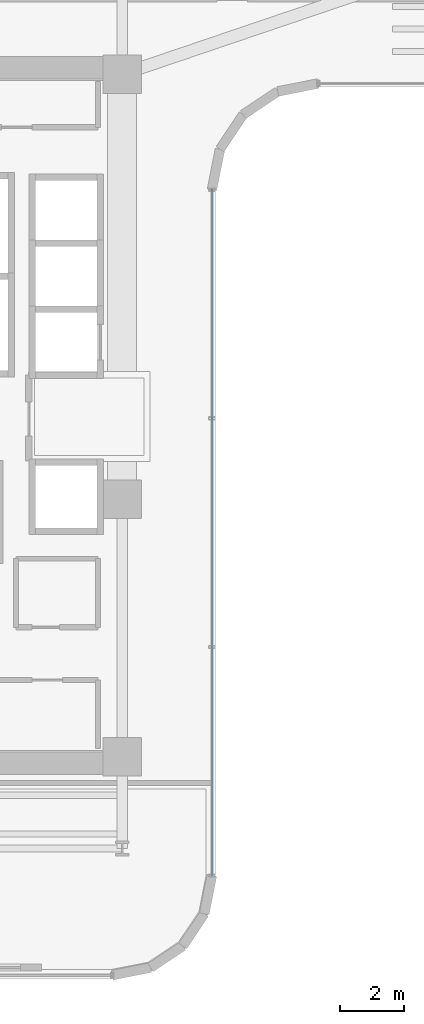
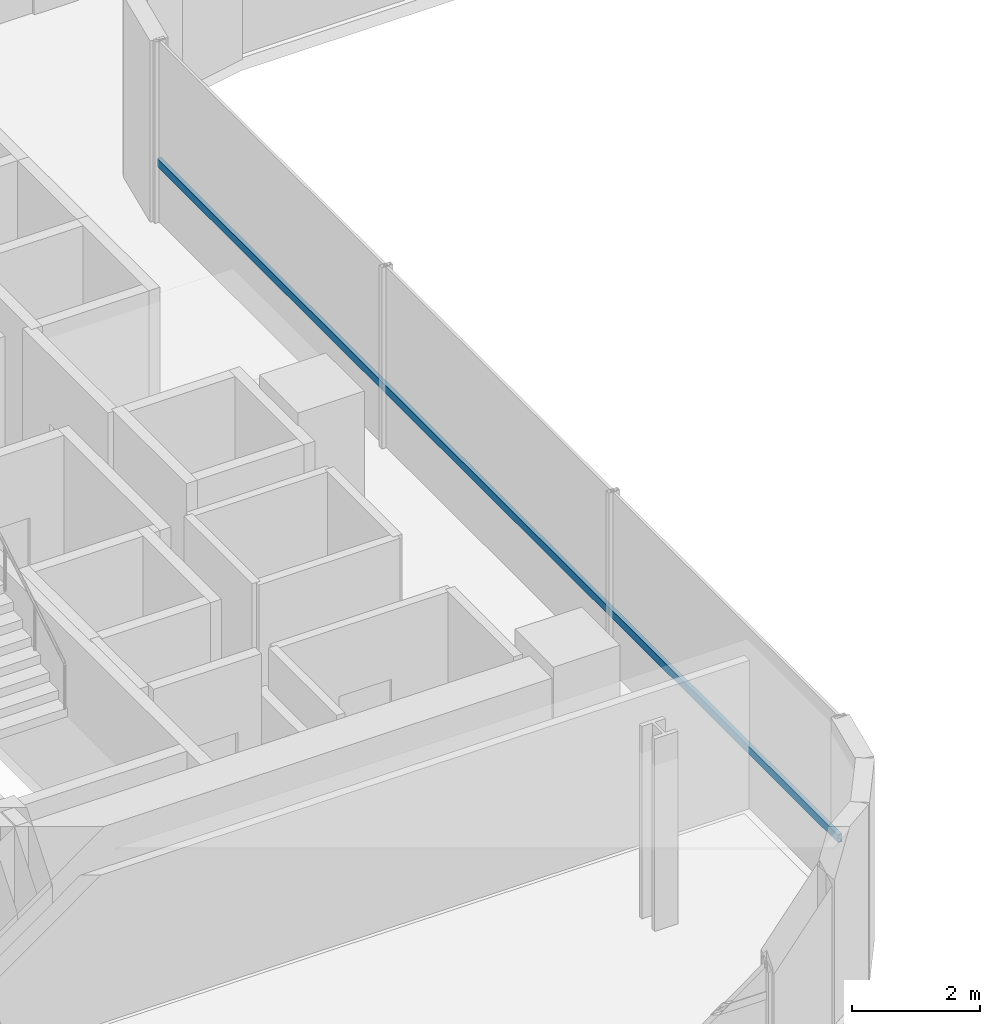
# One storey, part 6 of 35: 1 member, 1 element without a shape of its own.
"""IFC4 building model written with IfcOpenShell, lengths in metres."""

from ifc_helpers import new_model, si_unit, direction, frame, origin, origin_2d, place, context, subcontext, project, spatial, hollow_rectangle, extrude, source, transform, mapped, material, material_profile, profile_set, type_object, element, aggregate, save


model = new_model("IFC4")

# Units and contexts
model_context = context("Model", 3, precision=1e-05, world=origin(), true_north=direction((0.0, 1.0)))
body_context = subcontext(model_context, "Body", "Model", "MODEL_VIEW")
ifc_project = project(units=[si_unit("LENGTHUNIT", "METRE"), si_unit("AREAUNIT", "SQUARE_METRE"), si_unit("VOLUMEUNIT", "CUBIC_METRE"), si_unit("PLANEANGLEUNIT", "RADIAN"), si_unit("MASSUNIT", "GRAM", prefix="KILO")], contexts=[model_context])

# Site, building, storey
site_placement = place(None, origin())
site = spatial("IfcSite", under=ifc_project, at=site_placement, CompositionType="ELEMENT")
building_placement = place(site_placement, origin())
building = spatial("IfcBuilding", under=site, at=building_placement, Name="Valdorenza Pilgrim Sanctuary Tower", CompositionType="ELEMENT")
storey_placement = place(building_placement, frame((0.0, 0.0, 113.10009765625)))
storey = spatial("IfcBuildingStorey", under=building, at=storey_placement, Name="L28", CompositionType="ELEMENT", Elevation=113.10009765625)

# Curtain wall, member
ifc_material_1 = material(Name="Curtain-wall IGU glazing", Category="glass")
curtain_wall_type = type_object("IfcCurtainWallType", Name="CW-SYS-02", PredefinedType="NOTDEFINED", material=ifc_material_1)
curtain_wall_placement = place(storey_placement, origin())
curtain_wall = element("IfcCurtainWall", 1, at=curtain_wall_placement, inside=storey, type_object=curtain_wall_type, Name="L28 Curtain Wall CW-L28-1-41", PredefinedType="NOTDEFINED")
ifc_material_2 = material(Name="Anodised aluminium AW-6060", Category="aluminium")
ifc_material_profile = material_profile(ifc_material_2, hollow_rectangle(XDim=0.074951171875, YDim=0.14990234375, WallThickness=0.00390625, at=origin_2d()), Name="ALU-T 150x75x4")
ifc_profile_set = profile_set([ifc_material_profile], Name="Anodised aluminium AW-6060")
member_type = type_object("IfcMemberType", Name="CW-TRN-02", PredefinedType="USERDEFINED", material=ifc_profile_set)
shared_shape = source(origin(), body_context, "Body", "SweptSolid", [
    extrude(hollow_rectangle(XDim=0.074951171875, YDim=0.14990234375, WallThickness=0.00390625, at=origin_2d()), origin(), (0.0, 0.0, 1.0), 21.300048828125),
])
member_placement = place(storey_placement, frame((-9.610107421875, 7.0107421875, 1.119873046875), z_axis=(0.0, -1.0, 0.0), x_axis=(1.0, 0.0, 0.0)))
member = element("IfcMember", 2, at=member_placement, type_object=member_type, Name="CW-L28-1-41 Transom 1", ObjectType="TRANSOM", PredefinedType="USERDEFINED", context=body_context, shape_type="MappedRepresentation", body=[
    mapped(shared_shape, transform((0.0, 0.0, 0.0), x_axis=(1.0, 0.0, 0.0), y_axis=(0.0, 1.0, 0.0), z_axis=(0.0, 0.0, 1.0), scale=1.0)),
])
aggregate(curtain_wall, [member])

save(model, "model.ifc")
